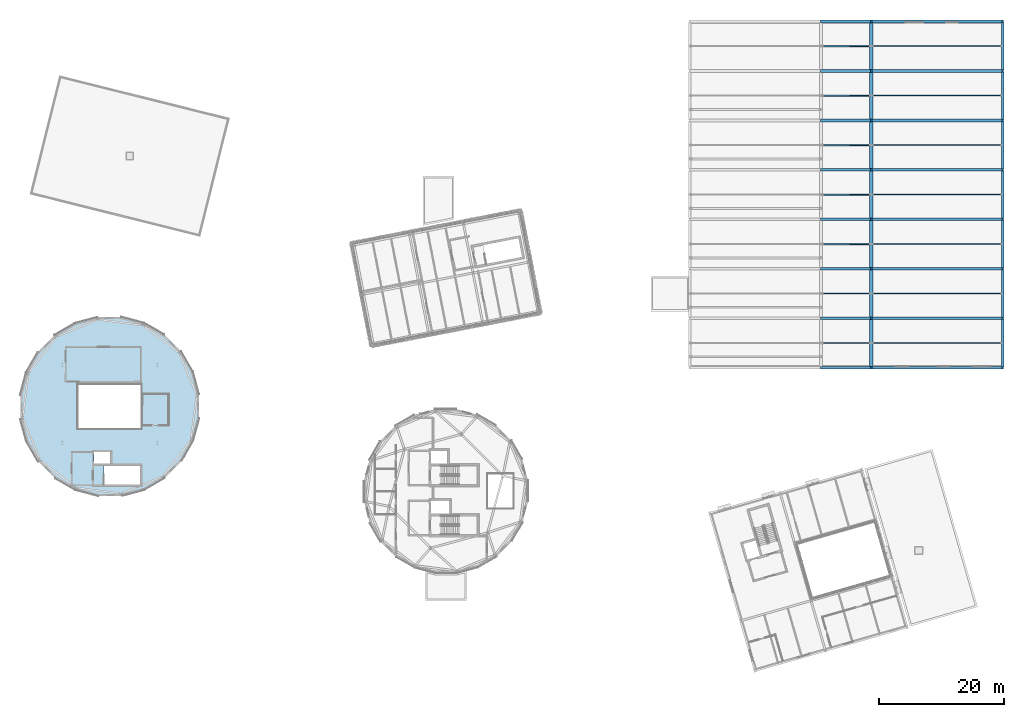
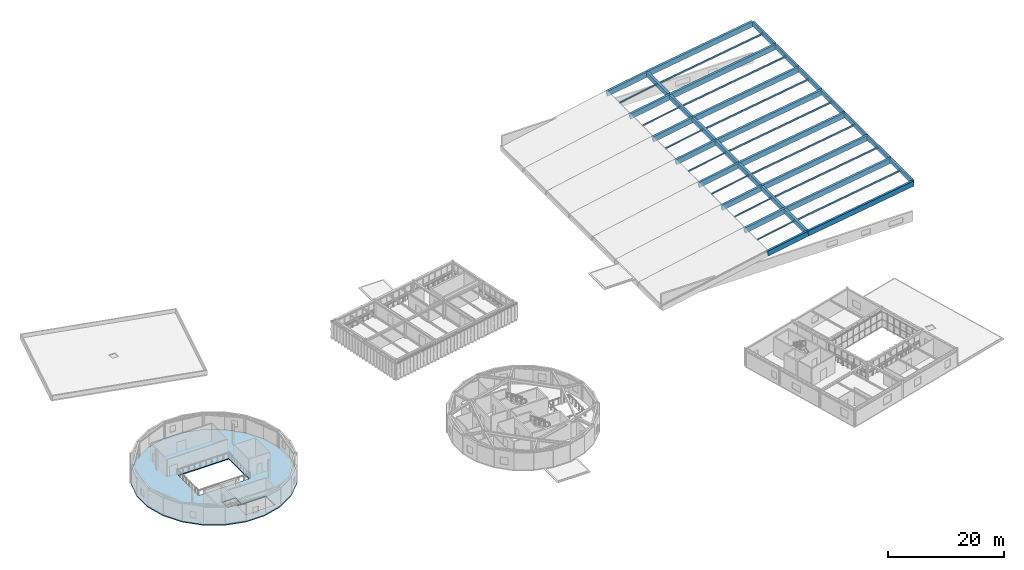
# One storey, part 20 of 44: 30 beams, 14 members, 1 slab.
"""IFC4 building model written with IfcOpenShell, lengths in metres."""

from ifc_helpers import new_model, si_unit, direction, frame, origin, origin_2d, place, context, subcontext, project, spatial, polyline, rectangle, i_section, outline, extrude, material, layer, layer_set, material_profile, profile_set, type_object, element, save


model = new_model("IFC4")

# Units and contexts
model_context = context("Model", 3, precision=1e-05, world=origin(), true_north=direction((0.0, 1.0)))
body_context = subcontext(model_context, "Body", "Model", "MODEL_VIEW")
ifc_project = project(units=[si_unit("LENGTHUNIT", "METRE"), si_unit("AREAUNIT", "SQUARE_METRE"), si_unit("VOLUMEUNIT", "CUBIC_METRE"), si_unit("PLANEANGLEUNIT", "RADIAN"), si_unit("MASSUNIT", "GRAM", prefix="KILO")], contexts=[model_context])

# Site, building, storey
site_placement = place(None, origin())
site = spatial("IfcSite", under=ifc_project, at=site_placement, CompositionType="ELEMENT")
building_placement = place(site_placement, origin())
building = spatial("IfcBuilding", under=site, at=building_placement, Name="Varnklinge Art Gallery", CompositionType="ELEMENT")
storey_placement = place(building_placement, frame((0.0, 0.0, 13.679931640625)))
storey = spatial("IfcBuildingStorey", under=building, at=storey_placement, Name="L03", CompositionType="ELEMENT", Elevation=13.679931640625)

# Members
ifc_material_1 = material(Name="Steel S355", Category="steel")
ifc_material_profile_1 = material_profile(ifc_material_1, i_section(OverallWidth=0.169921875, OverallDepth=0.360107421875, WebThickness=0.008056640625, FlangeThickness=0.0126953125, FilletRadius=0.01806640625, at=origin_2d()), Name="IPE 360")
ifc_profile_set_1 = profile_set([ifc_material_profile_1], Name="Steel S355")
member_type_1 = type_object("IfcMemberType", Name="RFT-01", PredefinedType="RAFTER", material=ifc_profile_set_1)
for number, where, z_axis, x_axis, name in (
    (1, (143.580078125, 62.14990234375, 5.22998046875), (0.988192371115, 0.0, 0.153218268066), (0.0, 1.0, 0.0), "Shell Vault Rafter 1.3"),
    (2, (143.580078125, 70.050048828125, 5.22998046875), (0.988192371115, 0.0, 0.153218268066), (0.0, 1.0, 0.0), "Shell Vault Rafter 2.3"),
    (3, (143.580078125, 77.949951171875, 5.22998046875), (0.988192371115, 0.0, 0.153218268066), (0.0, 1.0, 0.0), "Shell Vault Rafter 3.3"),
    (4, (143.580078125, 85.85009765625, 5.22998046875), (0.988192371115, 0.0, 0.153218268066), (0.0, 1.0, 0.0), "Shell Vault Rafter 4.3"),
    (5, (143.580078125, 93.75, 5.22998046875), (0.988192371115, 0.0, 0.153218268066), (0.0, 1.0, 0.0), "Shell Vault Rafter 5.3"),
    (6, (143.580078125, 101.64990234375, 5.22998046875), (0.988192371115, 0.0, 0.153218268066), (0.0, 1.0, 0.0), "Shell Vault Rafter 6.3"),
    (7, (143.580078125, 109.550048828125, 5.22998046875), (0.988192371115, 0.0, 0.153218268066), (0.0, 1.0, 0.0), "Shell Vault Rafter 7.3"),
):
    element("IfcMember", number, at=place(storey_placement, frame(where, z_axis=z_axis, x_axis=x_axis)), inside=storey, type_object=member_type_1, Name=name, PredefinedType="RAFTER", context=body_context, shape_type="SweptSolid", body=[
        extrude(i_section(OverallWidth=0.169921875, OverallDepth=0.360107421875, WebThickness=0.008056640625, FlangeThickness=0.0126953125, FilletRadius=0.01806640625, at=origin_2d()), origin(), (0.0, 0.0, 1.0), 20.886474609375),
    ])
ifc_material_2 = material(Name="Steel S355", Category="steel")
ifc_material_profile_2 = material_profile(ifc_material_2, i_section(OverallWidth=0.14990234375, OverallDepth=0.300048828125, WebThickness=0.007080078125, FlangeThickness=0.0107421875, FilletRadius=0.014892578125, at=origin_2d()), Name="IPE 300")
ifc_profile_set_2 = profile_set([ifc_material_profile_2], Name="Steel S355")
member_type_2 = type_object("IfcMemberType", Name="RFT-02", PredefinedType="RAFTER", material=ifc_profile_set_2)
for number, where, z_axis, x_axis, name in (
    (8, (135.580078125, 62.14990234375, 3.830078125), (0.983623557581, 0.0, 0.180235115814), (0.0, 1.0, 0.0), "Shell Vault Rafter 1.2"),
    (9, (135.580078125, 70.050048828125, 3.830078125), (0.983623557581, 0.0, 0.180235115814), (0.0, 1.0, 0.0), "Shell Vault Rafter 2.2"),
    (10, (135.580078125, 77.949951171875, 3.830078125), (0.983623557581, 0.0, 0.180235115814), (0.0, 1.0, 0.0), "Shell Vault Rafter 3.2"),
    (11, (135.580078125, 85.85009765625, 3.830078125), (0.983623557581, 0.0, 0.180235115814), (0.0, 1.0, 0.0), "Shell Vault Rafter 4.2"),
    (12, (135.580078125, 93.75, 3.830078125), (0.983623557581, 0.0, 0.180235115814), (0.0, 1.0, 0.0), "Shell Vault Rafter 5.2"),
    (13, (135.580078125, 101.64990234375, 3.830078125), (0.983623557581, 0.0, 0.180235115814), (0.0, 1.0, 0.0), "Shell Vault Rafter 6.2"),
    (14, (135.580078125, 109.550048828125, 3.830078125), (0.983623557581, 0.0, 0.180235115814), (0.0, 1.0, 0.0), "Shell Vault Rafter 7.2"),
):
    element("IfcMember", number, at=place(storey_placement, frame(where, z_axis=z_axis, x_axis=x_axis)), inside=storey, type_object=member_type_2, Name=name, PredefinedType="RAFTER", context=body_context, shape_type="SweptSolid", body=[
        extrude(i_section(OverallWidth=0.14990234375, OverallDepth=0.300048828125, WebThickness=0.007080078125, FlangeThickness=0.0107421875, FilletRadius=0.014892578125, at=origin_2d()), origin(), (0.0, 0.0, 1.0), 7.76708984375),
    ])

# Beams
ifc_material_3 = material(Name="Concrete C45/55", Category="concrete")
ifc_material_profile_3 = material_profile(ifc_material_3, rectangle(XDim=0.449951171875, YDim=1.10009765625, at=origin_2d()), Name="RC 450x1100")
ifc_profile_set_3 = profile_set([ifc_material_profile_3], Name="Concrete C45/55")
beam_type_1 = type_object("IfcBeamType", Name="SHB-01", PredefinedType="BEAM", material=ifc_profile_set_3)
beam_1_placement = place(storey_placement, frame((135.39990234375, 58.199951171875, 3.489990234375), z_axis=(0.985027404423, 0.0, 0.172397832165), x_axis=(0.0, 1.0, 0.0)))
element("IfcBeam", 15, at=beam_1_placement, inside=storey, type_object=beam_type_1, Name="Shell Vault Edge Beam Rib 1.2", PredefinedType="BEAM", context=body_context, shape_type="SweptSolid", body=[
    extrude(rectangle(XDim=0.449951171875, YDim=1.10009765625, at=origin_2d()), origin(), (0.0, 0.0, 1.0), 8.12158203125),
])
beam_2_placement = place(storey_placement, frame((143.39990234375, 58.199951171875, 4.89013671875), z_axis=(0.988588717894, 0.0, 0.15063979173), x_axis=(0.0, 1.0, 0.0)))
element("IfcBeam", 16, at=beam_2_placement, inside=storey, type_object=beam_type_1, Name="Shell Vault Edge Beam Rib 1.3", PredefinedType="BEAM", context=body_context, shape_type="SweptSolid", body=[
    extrude(rectangle(XDim=0.449951171875, YDim=1.10009765625, at=origin_2d()), origin(), (0.0, 0.0, 1.0), 21.242431640625),
])
beam_3_placement = place(storey_placement, frame((135.39990234375, 66.10009765625, 3.489990234375), z_axis=(0.985027404423, 0.0, 0.172397832165), x_axis=(0.0, 1.0, 0.0)))
element("IfcBeam", 17, at=beam_3_placement, inside=storey, type_object=beam_type_1, Name="Shell Vault Edge Beam Rib 2.2", PredefinedType="BEAM", context=body_context, shape_type="SweptSolid", body=[
    extrude(rectangle(XDim=0.449951171875, YDim=1.10009765625, at=origin_2d()), origin(), (0.0, 0.0, 1.0), 8.12158203125),
])
beam_4_placement = place(storey_placement, frame((143.39990234375, 66.10009765625, 4.89013671875), z_axis=(0.988588717894, 0.0, 0.15063979173), x_axis=(0.0, 1.0, 0.0)))
element("IfcBeam", 18, at=beam_4_placement, inside=storey, type_object=beam_type_1, Name="Shell Vault Edge Beam Rib 2.3", PredefinedType="BEAM", context=body_context, shape_type="SweptSolid", body=[
    extrude(rectangle(XDim=0.449951171875, YDim=1.10009765625, at=origin_2d()), origin(), (0.0, 0.0, 1.0), 21.242431640625),
])
beam_5_placement = place(storey_placement, frame((135.39990234375, 74.0, 3.489990234375), z_axis=(0.985027404423, 0.0, 0.172397832165), x_axis=(0.0, 1.0, 0.0)))
element("IfcBeam", 19, at=beam_5_placement, inside=storey, type_object=beam_type_1, Name="Shell Vault Edge Beam Rib 3.2", PredefinedType="BEAM", context=body_context, shape_type="SweptSolid", body=[
    extrude(rectangle(XDim=0.449951171875, YDim=1.10009765625, at=origin_2d()), origin(), (0.0, 0.0, 1.0), 8.12158203125),
])
beam_6_placement = place(storey_placement, frame((143.39990234375, 74.0, 4.89013671875), z_axis=(0.988588717894, 0.0, 0.15063979173), x_axis=(0.0, 1.0, 0.0)))
element("IfcBeam", 20, at=beam_6_placement, inside=storey, type_object=beam_type_1, Name="Shell Vault Edge Beam Rib 3.3", PredefinedType="BEAM", context=body_context, shape_type="SweptSolid", body=[
    extrude(rectangle(XDim=0.449951171875, YDim=1.10009765625, at=origin_2d()), origin(), (0.0, 0.0, 1.0), 21.242431640625),
])
beam_7_placement = place(storey_placement, frame((135.39990234375, 81.89990234375, 3.489990234375), z_axis=(0.985027404423, 0.0, 0.172397832165), x_axis=(0.0, 1.0, 0.0)))
element("IfcBeam", 21, at=beam_7_placement, inside=storey, type_object=beam_type_1, Name="Shell Vault Edge Beam Rib 4.2", PredefinedType="BEAM", context=body_context, shape_type="SweptSolid", body=[
    extrude(rectangle(XDim=0.449951171875, YDim=1.10009765625, at=origin_2d()), origin(), (0.0, 0.0, 1.0), 8.12158203125),
])
beam_8_placement = place(storey_placement, frame((143.39990234375, 81.89990234375, 4.89013671875), z_axis=(0.988588717894, 0.0, 0.15063979173), x_axis=(0.0, 1.0, 0.0)))
element("IfcBeam", 22, at=beam_8_placement, inside=storey, type_object=beam_type_1, Name="Shell Vault Edge Beam Rib 4.3", PredefinedType="BEAM", context=body_context, shape_type="SweptSolid", body=[
    extrude(rectangle(XDim=0.449951171875, YDim=1.10009765625, at=origin_2d()), origin(), (0.0, 0.0, 1.0), 21.242431640625),
])
beam_9_placement = place(storey_placement, frame((135.39990234375, 89.800048828125, 3.489990234375), z_axis=(0.985027404423, 0.0, 0.172397832165), x_axis=(0.0, 1.0, 0.0)))
element("IfcBeam", 23, at=beam_9_placement, inside=storey, type_object=beam_type_1, Name="Shell Vault Edge Beam Rib 5.2", PredefinedType="BEAM", context=body_context, shape_type="SweptSolid", body=[
    extrude(rectangle(XDim=0.449951171875, YDim=1.10009765625, at=origin_2d()), origin(), (0.0, 0.0, 1.0), 8.12158203125),
])
beam_10_placement = place(storey_placement, frame((143.39990234375, 89.800048828125, 4.89013671875), z_axis=(0.988588717894, 0.0, 0.15063979173), x_axis=(0.0, 1.0, 0.0)))
element("IfcBeam", 24, at=beam_10_placement, inside=storey, type_object=beam_type_1, Name="Shell Vault Edge Beam Rib 5.3", PredefinedType="BEAM", context=body_context, shape_type="SweptSolid", body=[
    extrude(rectangle(XDim=0.449951171875, YDim=1.10009765625, at=origin_2d()), origin(), (0.0, 0.0, 1.0), 21.242431640625),
])
beam_11_placement = place(storey_placement, frame((135.39990234375, 97.699951171875, 3.489990234375), z_axis=(0.985027404423, 0.0, 0.172397832165), x_axis=(0.0, 1.0, 0.0)))
element("IfcBeam", 25, at=beam_11_placement, inside=storey, type_object=beam_type_1, Name="Shell Vault Edge Beam Rib 6.2", PredefinedType="BEAM", context=body_context, shape_type="SweptSolid", body=[
    extrude(rectangle(XDim=0.449951171875, YDim=1.10009765625, at=origin_2d()), origin(), (0.0, 0.0, 1.0), 8.12158203125),
])
beam_12_placement = place(storey_placement, frame((143.39990234375, 97.699951171875, 4.89013671875), z_axis=(0.988588717894, 0.0, 0.15063979173), x_axis=(0.0, 1.0, 0.0)))
element("IfcBeam", 26, at=beam_12_placement, inside=storey, type_object=beam_type_1, Name="Shell Vault Edge Beam Rib 6.3", PredefinedType="BEAM", context=body_context, shape_type="SweptSolid", body=[
    extrude(rectangle(XDim=0.449951171875, YDim=1.10009765625, at=origin_2d()), origin(), (0.0, 0.0, 1.0), 21.242431640625),
])
beam_13_placement = place(storey_placement, frame((135.39990234375, 105.60009765625, 3.489990234375), z_axis=(0.985027404423, 0.0, 0.172397832165), x_axis=(0.0, 1.0, 0.0)))
element("IfcBeam", 27, at=beam_13_placement, inside=storey, type_object=beam_type_1, Name="Shell Vault Edge Beam Rib 7.2", PredefinedType="BEAM", context=body_context, shape_type="SweptSolid", body=[
    extrude(rectangle(XDim=0.449951171875, YDim=1.10009765625, at=origin_2d()), origin(), (0.0, 0.0, 1.0), 8.12158203125),
])
beam_14_placement = place(storey_placement, frame((143.39990234375, 105.60009765625, 4.89013671875), z_axis=(0.988588717894, 0.0, 0.15063979173), x_axis=(0.0, 1.0, 0.0)))
element("IfcBeam", 28, at=beam_14_placement, inside=storey, type_object=beam_type_1, Name="Shell Vault Edge Beam Rib 7.3", PredefinedType="BEAM", context=body_context, shape_type="SweptSolid", body=[
    extrude(rectangle(XDim=0.449951171875, YDim=1.10009765625, at=origin_2d()), origin(), (0.0, 0.0, 1.0), 21.242431640625),
])
beam_15_placement = place(storey_placement, frame((135.39990234375, 113.5, 3.489990234375), z_axis=(0.985027404423, 0.0, 0.172397832165), x_axis=(0.0, 1.0, 0.0)))
element("IfcBeam", 29, at=beam_15_placement, inside=storey, type_object=beam_type_1, Name="Shell Vault Edge Beam Rib 8.2", PredefinedType="BEAM", context=body_context, shape_type="SweptSolid", body=[
    extrude(rectangle(XDim=0.449951171875, YDim=1.10009765625, at=origin_2d()), origin(), (0.0, 0.0, 1.0), 8.12158203125),
])
beam_16_placement = place(storey_placement, frame((143.39990234375, 113.5, 4.89013671875), z_axis=(0.988588717894, 0.0, 0.15063979173), x_axis=(0.0, 1.0, 0.0)))
element("IfcBeam", 30, at=beam_16_placement, inside=storey, type_object=beam_type_1, Name="Shell Vault Edge Beam Rib 8.3", PredefinedType="BEAM", context=body_context, shape_type="SweptSolid", body=[
    extrude(rectangle(XDim=0.449951171875, YDim=1.10009765625, at=origin_2d()), origin(), (0.0, 0.0, 1.0), 21.242431640625),
])
ifc_material_4 = material(Name="Concrete C45/55", Category="concrete")
ifc_material_profile_4 = material_profile(ifc_material_4, rectangle(XDim=0.39990234375, YDim=0.89990234375, at=origin_2d()), Name="RC 400x900")
ifc_profile_set_4 = profile_set([ifc_material_profile_4], Name="Concrete C45/55")
beam_type_2 = type_object("IfcBeamType", Name="SHB-02", PredefinedType="BEAM", material=ifc_profile_set_4)
beam_17_placement = place(storey_placement, frame((164.39990234375, 58.35009765625, 8.190185546875), z_axis=(0.0, 1.0, 0.0), x_axis=(-1.0, 0.0, 0.0)))
element("IfcBeam", 31, at=beam_17_placement, inside=storey, type_object=beam_type_2, Name="Shell Vault Longitudinal Beam 4.1", PredefinedType="BEAM", context=body_context, shape_type="SweptSolid", body=[
    extrude(rectangle(XDim=0.39990234375, YDim=0.89990234375, at=origin_2d()), origin(), (0.0, 0.0, 1.0), 7.599853515625),
])
for number, where, z_axis, x_axis, name in (
    (32, (164.39990234375, 66.25, 8.190185546875), (0.0, 1.0, 0.0), (-1.0, 0.0, 0.0), "Shell Vault Longitudinal Beam 4.2"),
    (33, (164.39990234375, 74.14990234375, 8.190185546875), (0.0, 1.0, 0.0), (-1.0, 0.0, 0.0), "Shell Vault Longitudinal Beam 4.3"),
):
    element("IfcBeam", number, at=place(storey_placement, frame(where, z_axis=z_axis, x_axis=x_axis)), inside=storey, type_object=beam_type_2, Name=name, PredefinedType="BEAM", context=body_context, shape_type="SweptSolid", body=[
        extrude(rectangle(XDim=0.39990234375, YDim=0.89990234375, at=origin_2d()), origin(), (0.0, 0.0, 1.0), 7.60009765625),
    ])
beam_18_placement = place(storey_placement, frame((164.39990234375, 82.050048828125, 8.190185546875), z_axis=(0.0, 1.0, 0.0), x_axis=(-1.0, 0.0, 0.0)))
element("IfcBeam", 34, at=beam_18_placement, inside=storey, type_object=beam_type_2, Name="Shell Vault Longitudinal Beam 4.4", PredefinedType="BEAM", context=body_context, shape_type="SweptSolid", body=[
    extrude(rectangle(XDim=0.39990234375, YDim=0.89990234375, at=origin_2d()), origin(), (0.0, 0.0, 1.0), 7.599853515625),
])
beam_19_placement = place(storey_placement, frame((164.39990234375, 89.949951171875, 8.190185546875), z_axis=(0.0, 1.0, 0.0), x_axis=(-1.0, 0.0, 0.0)))
element("IfcBeam", 35, at=beam_19_placement, inside=storey, type_object=beam_type_2, Name="Shell Vault Longitudinal Beam 4.5", PredefinedType="BEAM", context=body_context, shape_type="SweptSolid", body=[
    extrude(rectangle(XDim=0.39990234375, YDim=0.89990234375, at=origin_2d()), origin(), (0.0, 0.0, 1.0), 7.60009765625),
])
beam_20_placement = place(storey_placement, frame((164.39990234375, 97.85009765625, 8.190185546875), z_axis=(0.0, 1.0, 0.0), x_axis=(-1.0, 0.0, 0.0)))
element("IfcBeam", 36, at=beam_20_placement, inside=storey, type_object=beam_type_2, Name="Shell Vault Longitudinal Beam 4.6", PredefinedType="BEAM", context=body_context, shape_type="SweptSolid", body=[
    extrude(rectangle(XDim=0.39990234375, YDim=0.89990234375, at=origin_2d()), origin(), (0.0, 0.0, 1.0), 7.599853515625),
])
beam_21_placement = place(storey_placement, frame((164.39990234375, 105.75, 8.190185546875), z_axis=(0.0, 1.0, 0.0), x_axis=(-1.0, 0.0, 0.0)))
element("IfcBeam", 37, at=beam_21_placement, inside=storey, type_object=beam_type_2, Name="Shell Vault Longitudinal Beam 4.7", PredefinedType="BEAM", context=body_context, shape_type="SweptSolid", body=[
    extrude(rectangle(XDim=0.39990234375, YDim=0.89990234375, at=origin_2d()), origin(), (0.0, 0.0, 1.0), 7.60009765625),
])
ifc_material_5 = material(Name="Concrete C45/55", Category="concrete")
ifc_material_profile_5 = material_profile(ifc_material_5, rectangle(XDim=0.5, YDim=0.949951171875, at=origin_2d()), Name="RC 500x950")
ifc_profile_set_5 = profile_set([ifc_material_profile_5], Name="Concrete C45/55")
beam_type_3 = type_object("IfcBeamType", Name="SHB-03", PredefinedType="T_BEAM", material=ifc_profile_set_5)
beam_22_placement = place(storey_placement, frame((143.39990234375, 58.35009765625, 4.965087890625), z_axis=(0.0, 1.0, 0.0), x_axis=(-1.0, 0.0, 0.0)))
element("IfcBeam", 38, at=beam_22_placement, inside=storey, type_object=beam_type_3, Name="Shell Vault Longitudinal Beam 3.1", PredefinedType="T_BEAM", context=body_context, shape_type="SweptSolid", body=[
    extrude(rectangle(XDim=0.5, YDim=0.949951171875, at=origin_2d()), origin(), (0.0, 0.0, 1.0), 7.599853515625),
])
for number, where, z_axis, x_axis, name in (
    (39, (143.39990234375, 66.25, 4.965087890625), (0.0, 1.0, 0.0), (-1.0, 0.0, 0.0), "Shell Vault Longitudinal Beam 3.2"),
    (40, (143.39990234375, 74.14990234375, 4.965087890625), (0.0, 1.0, 0.0), (-1.0, 0.0, 0.0), "Shell Vault Longitudinal Beam 3.3"),
):
    element("IfcBeam", number, at=place(storey_placement, frame(where, z_axis=z_axis, x_axis=x_axis)), inside=storey, type_object=beam_type_3, Name=name, PredefinedType="T_BEAM", context=body_context, shape_type="SweptSolid", body=[
        extrude(rectangle(XDim=0.5, YDim=0.949951171875, at=origin_2d()), origin(), (0.0, 0.0, 1.0), 7.60009765625),
    ])
beam_23_placement = place(storey_placement, frame((143.39990234375, 82.050048828125, 4.965087890625), z_axis=(0.0, 1.0, 0.0), x_axis=(-1.0, 0.0, 0.0)))
element("IfcBeam", 41, at=beam_23_placement, inside=storey, type_object=beam_type_3, Name="Shell Vault Longitudinal Beam 3.4", PredefinedType="T_BEAM", context=body_context, shape_type="SweptSolid", body=[
    extrude(rectangle(XDim=0.5, YDim=0.949951171875, at=origin_2d()), origin(), (0.0, 0.0, 1.0), 7.599853515625),
])
beam_24_placement = place(storey_placement, frame((143.39990234375, 89.949951171875, 4.965087890625), z_axis=(0.0, 1.0, 0.0), x_axis=(-1.0, 0.0, 0.0)))
element("IfcBeam", 42, at=beam_24_placement, inside=storey, type_object=beam_type_3, Name="Shell Vault Longitudinal Beam 3.5", PredefinedType="T_BEAM", context=body_context, shape_type="SweptSolid", body=[
    extrude(rectangle(XDim=0.5, YDim=0.949951171875, at=origin_2d()), origin(), (0.0, 0.0, 1.0), 7.60009765625),
])
beam_25_placement = place(storey_placement, frame((143.39990234375, 97.85009765625, 4.965087890625), z_axis=(0.0, 1.0, 0.0), x_axis=(-1.0, 0.0, 0.0)))
element("IfcBeam", 43, at=beam_25_placement, inside=storey, type_object=beam_type_3, Name="Shell Vault Longitudinal Beam 3.6", PredefinedType="T_BEAM", context=body_context, shape_type="SweptSolid", body=[
    extrude(rectangle(XDim=0.5, YDim=0.949951171875, at=origin_2d()), origin(), (0.0, 0.0, 1.0), 7.599853515625),
])
beam_26_placement = place(storey_placement, frame((143.39990234375, 105.75, 4.965087890625), z_axis=(0.0, 1.0, 0.0), x_axis=(-1.0, 0.0, 0.0)))
element("IfcBeam", 44, at=beam_26_placement, inside=storey, type_object=beam_type_3, Name="Shell Vault Longitudinal Beam 3.7", PredefinedType="T_BEAM", context=body_context, shape_type="SweptSolid", body=[
    extrude(rectangle(XDim=0.5, YDim=0.949951171875, at=origin_2d()), origin(), (0.0, 0.0, 1.0), 7.60009765625),
])

# Slab
ifc_material_6 = material(Name="Concrete C35/45", Category="concrete")
ifc_layer = layer(ifc_material_6, 0.219970703125)
ifc_layer_set = layer_set([ifc_layer], Name="Concrete C35/45")
slab_type = type_object("IfcSlabType", Name="SLB-F22", PredefinedType="FLOOR", material=ifc_layer_set)
slab_placement = place(storey_placement, frame((0.0, 0.0, -0.219970703125)))
element("IfcSlab", 45, at=slab_placement, inside=storey, type_object=slab_type, Name="L03 Auditorium Drum Slab", PredefinedType="FLOOR", context=body_context, shape_type="SweptSolid", body=[
    extrude(outline(polyline([(35.10400390625, 46.489501953125), (36.076904296875, 50.120361328125), (36.076904296875, 53.879638671875), (35.10400390625, 57.510498046875), (33.224365234375, 60.76611328125), (30.566162109375, 63.42431640625), (27.310546875, 65.303955078125), (23.6796875, 66.27685546875), (19.92041015625, 66.27685546875), (16.289306640625, 65.303955078125), (13.03369140625, 63.42431640625), (10.375732421875, 60.76611328125), (8.49609375, 57.510498046875), (7.523193359375, 53.879638671875), (7.523193359375, 50.120361328125), (8.49609375, 46.489501953125), (10.375732421875, 43.23388671875), (13.03369140625, 40.57568359375), (16.289306640625, 38.696044921875), (19.92041015625, 37.72314453125), (23.6796875, 37.72314453125), (27.310546875, 38.696044921875), (30.566162109375, 40.57568359375), (33.224365234375, 43.23388671875), (35.10400390625, 46.489501953125)]), holes=[polyline([(20.925048828125, 39.5), (20.925048828125, 42.56005859375), (26.699951171875, 42.56005859375), (26.699951171875, 39.5), (20.925048828125, 39.5)]), polyline([(21.89990234375, 44.760009765625), (21.89990234375, 42.860107421875), (19.300048828125, 42.860107421875), (19.300048828125, 44.760009765625), (21.89990234375, 44.760009765625)]), polyline([(26.800048828125, 48.5), (16.800048828125, 48.5), (16.800048828125, 55.5), (26.800048828125, 55.5), (26.800048828125, 48.5)])]), origin(), (0.0, 0.0, 1.0), 0.219970703125),
])

save(model, "model.ifc")
